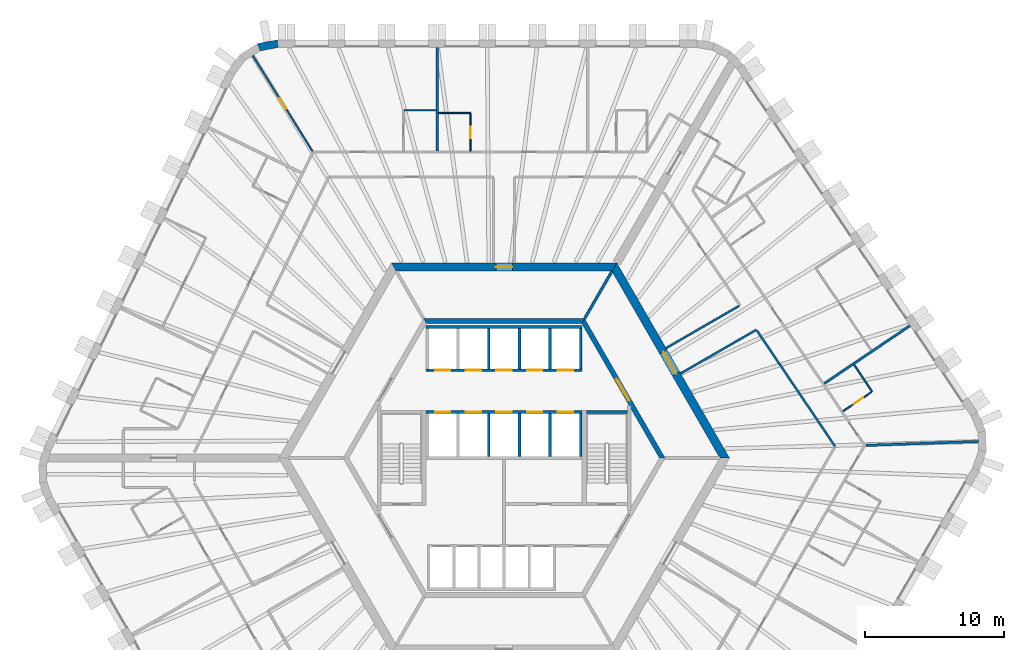
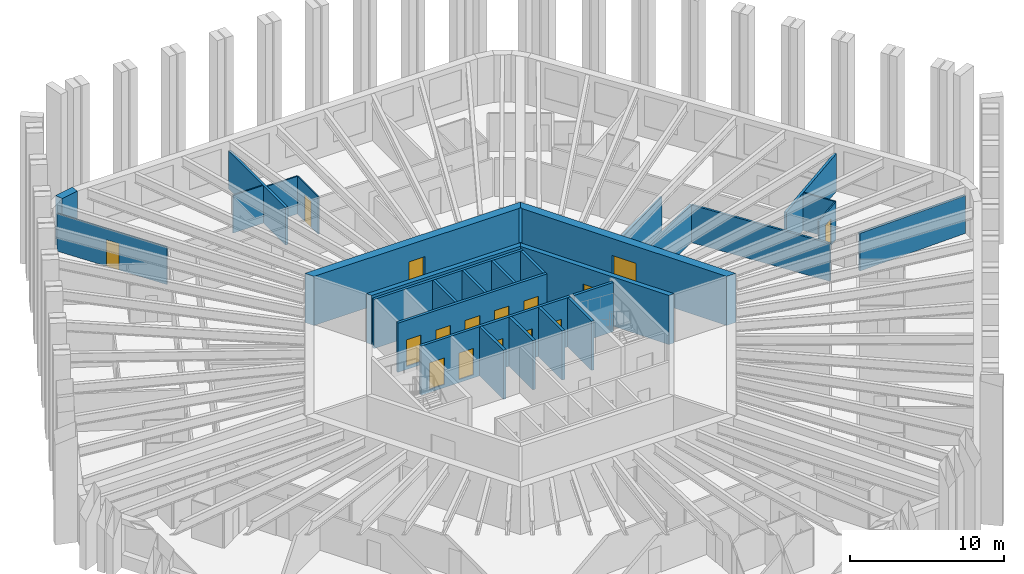
# One storey, part 8 of 12: 30 walls, 16 doors, 16 openings.
"""IFC4 building model written with IfcOpenShell, lengths in metres."""

from ifc_helpers import new_model, si_unit, direction, frame, frame_2d, origin, place, context, subcontext, project, spatial, polyline, rectangle, outline, extrude, material, layer, layer_set, type_object, element, fill, save


model = new_model("IFC4")

# Units and contexts
model_context = context("Model", 3, precision=1e-05, world=origin(), true_north=direction((0.0, 1.0)))
body_context = subcontext(model_context, "Body", "Model", "MODEL_VIEW")
ifc_project = project(units=[si_unit("LENGTHUNIT", "METRE"), si_unit("AREAUNIT", "SQUARE_METRE"), si_unit("VOLUMEUNIT", "CUBIC_METRE"), si_unit("PLANEANGLEUNIT", "RADIAN"), si_unit("MASSUNIT", "GRAM", prefix="KILO")], contexts=[model_context])

# Site, building, storey
site_placement = place(None, origin())
site = spatial("IfcSite", under=ifc_project, at=site_placement, CompositionType="ELEMENT")
building_placement = place(site_placement, origin())
building = spatial("IfcBuilding", under=site, at=building_placement, Name="Tarnside Tower", CompositionType="ELEMENT")
storey_placement = place(building_placement, frame((0.0, 0.0, 37.5)))
storey = spatial("IfcBuildingStorey", under=building, at=storey_placement, Name="L06", CompositionType="ELEMENT", Elevation=37.5)

# Wall
ifc_material_1 = material(Name="Gypsum board partition on steel studs", Category="steel")
ifc_layer_1 = layer(ifc_material_1, 0.10009765625)
ifc_layer_set_1 = layer_set([ifc_layer_1], Name="Bathroom wall 100")
wall_type_1 = type_object("IfcWallType", Name="Bathroom wall 100", PredefinedType="PARTITIONING", material=ifc_layer_set_1)
wall_1_placement = place(storey_placement, frame((-4.720947265625, 24.75, 0.0), z_axis=(0.0, 0.0, 1.0), x_axis=(1.0, 0.0, 0.0)))
element("IfcWall", 1, at=wall_1_placement, inside=storey, type_object=wall_type_1, Name="Bathroom wall 01081", PredefinedType="PARTITIONING", context=body_context, shape_type="SweptSolid", body=[
    extrude(rectangle(XDim=2.309814453125, YDim=0.10009765625, at=frame_2d((1.15478515625, 0.0))), origin(), (0.0, 0.0, 1.0), 2.98779296875),
])

# Wall, opening, door
wall_2_placement = place(storey_placement, frame((-2.4111328125, 24.699951171875, 0.0), z_axis=(0.0, 0.0, 1.0), x_axis=(0.0, -1.0, 0.0)))
wall_2 = element("IfcWall", 2, at=wall_2_placement, inside=storey, type_object=wall_type_1, Name="Bathroom wall 01082", PredefinedType="PARTITIONING", context=body_context, shape_type="SweptSolid", body=[
    extrude(rectangle(XDim=2.675048828125, YDim=0.10009765625, at=frame_2d((1.33740234375, 0.0))), origin(), (0.0, 0.0, 1.0), 2.98779296875),
])
opening_1_placement = place(wall_2_placement, frame((0.949951171875, 0.0, 0.0)))
opening_1 = element("IfcOpeningElement", 3, at=opening_1_placement, cuts=wall_2, Name="Opening D-B1", PredefinedType="OPENING", context=body_context, shape_type="SweptSolid", body=[
    extrude(rectangle(XDim=0.800048828125, YDim=2.10009765625, at=frame_2d((0.39990234375, 1.050048828125))), frame((0.0, 0.06005859375, 0.0), z_axis=(0.0, -1.0, 0.0), x_axis=(1.0, 0.0, 0.0)), (0.0, 0.0, 1.0), 0.1201171875),
])
ifc_material_2 = material(Name="Timber door leaf", Category="wood")
door_type_1 = type_object("IfcDoorType", Name="Bathroom door 800", OperationType="NOTDEFINED", PredefinedType="DOOR", material=ifc_material_2)
door_1_placement = place(opening_1_placement, origin())
door_1 = element("IfcDoor", 4, at=door_1_placement, inside=storey, type_object=door_type_1, Name="Bathroom door 01004", OperationType="SINGLE_SWING_RIGHT", OverallHeight=2.10009765625, OverallWidth=0.800048828125, PredefinedType="DOOR", context=body_context, shape_type="SweptSolid", body=[
    extrude(rectangle(XDim=0.800048828125, YDim=2.10009765625, at=frame_2d((0.39990234375, 1.050048828125))), frame((0.0, 0.02490234375, 0.0), z_axis=(0.0, -1.0, 0.0), x_axis=(1.0, 0.0, 0.0)), (0.0, 0.0, 1.0), 0.050048828125),
])
fill(opening_1, door_1)

# Walls
wall_3_placement = place(storey_placement, frame((-7.1611328125, 24.949951171875, 0.0), z_axis=(0.0, 0.0, 1.0), x_axis=(1.0, 0.0, 0.0)))
element("IfcWall", 5, at=wall_3_placement, inside=storey, type_object=wall_type_1, Name="Bathroom wall 01087", PredefinedType="PARTITIONING", context=body_context, shape_type="SweptSolid", body=[
    extrude(rectangle(XDim=2.260009765625, YDim=0.10009765625, at=frame_2d((1.1298828125, 0.0))), origin(), (0.0, 0.0, 1.0), 2.98779296875),
])
wall_4_placement = place(storey_placement, frame((25.106689453125, 6.680419921875, 0.0), z_axis=(0.0, 0.0, 1.0), x_axis=(0.559204176839, -0.829029968461, 0.0)))
element("IfcWall", 6, at=wall_4_placement, inside=storey, type_object=wall_type_1, Name="Bathroom wall 01142", PredefinedType="PARTITIONING", context=body_context, shape_type="SweptSolid", body=[
    extrude(rectangle(XDim=2.31005859375, YDim=0.10009765625, at=frame_2d((1.155029296875, 0.0))), origin(), (0.0, 0.0, 1.0), 2.98779296875),
])

# Wall, opening, door
wall_5_placement = place(storey_placement, frame((26.35693359375, 4.7373046875, 0.0), z_axis=(0.0, 0.0, 1.0), x_axis=(-0.829094460354, -0.559108554585, 0.0)))
wall_5 = element("IfcWall", 7, at=wall_5_placement, inside=storey, type_object=wall_type_1, Name="Bathroom wall 01143", PredefinedType="PARTITIONING", context=body_context, shape_type="SweptSolid", body=[
    extrude(rectangle(XDim=2.47509765625, YDim=0.10009765625, at=frame_2d((1.237548828125, 0.0))), origin(), (0.0, 0.0, 1.0), 2.98779296875),
])
opening_2_placement = place(wall_5_placement, frame((0.719970703125, 0.0, 0.0)))
opening_2 = element("IfcOpeningElement", 8, at=opening_2_placement, cuts=wall_5, Name="Opening D-B1", PredefinedType="OPENING", context=body_context, shape_type="SweptSolid", body=[
    extrude(rectangle(XDim=0.800048828125, YDim=2.10009765625, at=frame_2d((0.39990234375, 1.050048828125))), frame((0.0, 0.06005859375, 0.0), z_axis=(0.0, -1.0, 0.0), x_axis=(1.0, 0.0, 0.0)), (0.0, 0.0, 1.0), 0.1201171875),
])
door_2_placement = place(opening_2_placement, origin())
door_2 = element("IfcDoor", 9, at=door_2_placement, inside=storey, type_object=door_type_1, Name="Bathroom door 01036", OperationType="SINGLE_SWING_RIGHT", OverallHeight=2.10009765625, OverallWidth=0.800048828125, PredefinedType="DOOR", context=body_context, shape_type="SweptSolid", body=[
    extrude(rectangle(XDim=0.800048828125, YDim=2.10009765625, at=frame_2d((0.39990234375, 1.050048828125))), frame((0.0, 0.02490234375, 0.0), z_axis=(0.0, -1.0, 0.0), x_axis=(1.0, 0.0, 0.0)), (0.0, 0.0, 1.0), 0.050048828125),
])
fill(opening_2, door_2)

ifc_material_3 = material(Name="Concrete C50/60", Category="concrete")
ifc_layer_2 = layer(ifc_material_3, 0.35009765625)
ifc_layer_set_2 = layer_set([ifc_layer_2], Name="Core block wall 350 C50/60")
wall_type_2 = type_object("IfcWallType", Name="Core block wall 350 C50/60", PredefinedType="SHEAR", material=ifc_layer_set_2)
wall_6_placement = place(storey_placement, frame((11.344970703125, 0.0, -0.14990234375), z_axis=(0.0, 0.0, 1.0), x_axis=(-0.499995046907, 0.866028263435, 0.0)))
wall_6 = element("IfcWall", 10, at=wall_6_placement, inside=storey, type_object=wall_type_2, Name="L06 core block wall face 6", PredefinedType="SHEAR", context=body_context, shape_type="SweptSolid", body=[
    extrude(outline(polyline([(-0.10107421875, -0.175048828125), (11.44580078125, -0.175048828125), (11.24365234375, 0.175048828125), (0.10107421875, 0.175048828125), (-0.10107421875, -0.175048828125)])), origin(), (0.0, 0.0, 1.0), 3.89990234375),
])
opening_3_placement = place(wall_6_placement, frame((4.74365234375, 0.0, 0.14990234375)))
opening_3 = element("IfcOpeningElement", 11, at=opening_3_placement, cuts=wall_6, Name="Opening CD-LOB", PredefinedType="OPENING", context=body_context, shape_type="SweptSolid", body=[
    extrude(rectangle(XDim=1.800048828125, YDim=2.39990234375, at=frame_2d((0.89990234375, 1.199951171875))), frame((0.0, 0.18505859375, 0.0), z_axis=(0.0, -1.0, 0.0), x_axis=(1.0, 0.0, 0.0)), (0.0, 0.0, 1.0), 0.3701171875),
])
ifc_material_4 = material(Name="Steel fire door", Category="steel")
door_type_2 = type_object("IfcDoorType", Name="Lobby double door FD30S 1800x2400", OperationType="NOTDEFINED", PredefinedType="DOOR", material=ifc_material_4)
door_3_placement = place(opening_3_placement, origin())
door_3 = element("IfcDoor", 12, at=door_3_placement, inside=storey, type_object=door_type_2, Name="L06 lobby block door P2", OperationType="DOUBLE_DOOR_SINGLE_SWING", OverallHeight=2.39990234375, OverallWidth=1.800048828125, PredefinedType="DOOR", context=body_context, shape_type="SweptSolid", body=[
    extrude(rectangle(XDim=1.800048828125, YDim=2.39990234375, at=frame_2d((0.89990234375, 1.199951171875))), frame((0.0, 0.02490234375, 0.0), z_axis=(0.0, -1.0, 0.0), x_axis=(1.0, 0.0, 0.0)), (0.0, 0.0, 1.0), 0.050048828125),
])
fill(opening_3, door_3)

# Wall
wall_7_placement = place(storey_placement, frame((5.672607421875, 9.824951171875, -0.14990234375), z_axis=(0.0, 0.0, 1.0), x_axis=(-1.0, 0.0, 0.0)))
element("IfcWall", 13, at=wall_7_placement, inside=storey, type_object=wall_type_2, Name="L06 core block wall face 1", PredefinedType="SHEAR", context=body_context, shape_type="SweptSolid", body=[
    extrude(outline(polyline([(-0.10107421875, -0.175048828125), (11.4462890625, -0.175048828125), (11.244140625, 0.175048828125), (0.10107421875, 0.175048828125), (-0.10107421875, -0.175048828125)])), origin(), (0.0, 0.0, 1.0), 3.89990234375),
])

# Wall, opening, door
ifc_material_5 = material(Name="Concrete C80/95", Category="concrete")
ifc_layer_3 = layer(ifc_material_5, 0.60009765625)
ifc_layer_set_3 = layer_set([ifc_layer_3], Name="Core wall Z1 600 C80/95")
wall_type_3 = type_object("IfcWallType", Name="Core wall Z1 600 C80/95", PredefinedType="SHEAR", material=ifc_layer_set_3)
wall_8_placement = place(storey_placement, frame((15.8193359375, 0.0, -0.14990234375), z_axis=(0.0, 0.0, 1.0), x_axis=(-0.499999880136, 0.866025472988, 0.0)))
wall_8 = element("IfcWall", 14, at=wall_8_placement, inside=storey, type_object=wall_type_3, Name="L06 core wall face 6", PredefinedType="SHEAR", context=body_context, shape_type="SweptSolid", body=[
    extrude(outline(polyline([(-0.17333984375, -0.300048828125), (15.99267578125, -0.300048828125), (15.64599609375, 0.300048828125), (0.17333984375, 0.300048828125), (-0.17333984375, -0.300048828125)])), origin(), (0.0, 0.0, 1.0), 3.89990234375),
])
opening_4_placement = place(wall_8_placement, frame((6.980712890625, 0.0, 0.14990234375)))
opening_4 = element("IfcOpeningElement", 15, at=opening_4_placement, cuts=wall_8, Name="Opening CD-LOB", PredefinedType="OPENING", context=body_context, shape_type="SweptSolid", body=[
    extrude(rectangle(XDim=1.800048828125, YDim=2.39990234375, at=frame_2d((0.89990234375, 1.199951171875))), frame((0.0, 0.31005859375, 0.0), z_axis=(0.0, -1.0, 0.0), x_axis=(1.0, 0.0, 0.0)), (0.0, 0.0, 1.0), 0.6201171875),
])
door_4_placement = place(opening_4_placement, origin())
door_4 = element("IfcDoor", 16, at=door_4_placement, inside=storey, type_object=door_type_2, Name="L06 core door P2", OperationType="DOUBLE_DOOR_SINGLE_SWING", OverallHeight=2.39990234375, OverallWidth=1.800048828125, PredefinedType="DOOR", context=body_context, shape_type="SweptSolid", body=[
    extrude(rectangle(XDim=1.800048828125, YDim=2.39990234375, at=frame_2d((0.89990234375, 1.199951171875))), frame((0.0, 0.02490234375, 0.0), z_axis=(0.0, -1.0, 0.0), x_axis=(1.0, 0.0, 0.0)), (0.0, 0.0, 1.0), 0.050048828125),
])
fill(opening_4, door_4)

wall_9_placement = place(storey_placement, frame((7.90966796875, 13.699951171875, -0.14990234375), z_axis=(0.0, 0.0, 1.0), x_axis=(-1.0, 0.0, 0.0)))
wall_9 = element("IfcWall", 17, at=wall_9_placement, inside=storey, type_object=wall_type_3, Name="L06 core wall face 1", PredefinedType="SHEAR", context=body_context, shape_type="SweptSolid", body=[
    extrude(outline(polyline([(-0.17333984375, -0.300048828125), (15.99267578125, -0.300048828125), (15.64599609375, 0.300048828125), (0.17333984375, 0.300048828125), (-0.17333984375, -0.300048828125)])), origin(), (0.0, 0.0, 1.0), 3.89990234375),
])
opening_5_placement = place(wall_9_placement, frame((7.309814453125, 0.0, 0.14990234375)))
opening_5 = element("IfcOpeningElement", 18, at=opening_5_placement, cuts=wall_9, Name="Opening CD-RSR", PredefinedType="OPENING", context=body_context, shape_type="SweptSolid", body=[
    extrude(rectangle(XDim=1.199951171875, YDim=2.39990234375, at=frame_2d((0.60009765625, 1.199951171875))), frame((0.0, 0.31005859375, 0.0), z_axis=(0.0, -1.0, 0.0), x_axis=(1.0, 0.0, 0.0)), (0.0, 0.0, 1.0), 0.6201171875),
])
door_type_3 = type_object("IfcDoorType", Name="Riser door FD60 1200x2400", OperationType="NOTDEFINED", PredefinedType="DOOR", material=ifc_material_4)
door_5_placement = place(opening_5_placement, origin())
door_5 = element("IfcDoor", 19, at=door_5_placement, inside=storey, type_object=door_type_3, Name="L06 core door S5", OperationType="SINGLE_SWING_LEFT", OverallHeight=2.39990234375, OverallWidth=1.199951171875, PredefinedType="DOOR", context=body_context, shape_type="SweptSolid", body=[
    extrude(rectangle(XDim=1.199951171875, YDim=2.39990234375, at=frame_2d((0.60009765625, 1.199951171875))), frame((0.0, 0.02490234375, 0.0), z_axis=(0.0, -1.0, 0.0), x_axis=(1.0, 0.0, 0.0)), (0.0, 0.0, 1.0), 0.050048828125),
])
fill(opening_5, door_5)

# Walls
ifc_layer_4 = layer(ifc_material_1, 0.14990234375)
ifc_layer_set_4 = layer_set([ifc_layer_4], Name="Corridor wall 150 EI 60")
wall_type_4 = type_object("IfcWallType", Name="Corridor wall 150 EI 60", PredefinedType="PARTITIONING", material=ifc_layer_set_4)
wall_10_placement = place(storey_placement, frame((12.663818359375, 6.065673828125, 0.0), z_axis=(0.0, 0.0, 1.0), x_axis=(0.866036561919, 0.499980673046, 0.0)))
element("IfcWall", 20, at=wall_10_placement, inside=storey, type_object=wall_type_4, Name="Corridor wall 01068", PredefinedType="PARTITIONING", context=body_context, shape_type="SweptSolid", body=[
    extrude(rectangle(XDim=6.274658203125, YDim=0.14990234375, at=frame_2d((3.13720703125, 0.0))), origin(), (0.0, 0.0, 1.0), 2.98779296875),
])
wall_11_placement = place(storey_placement, frame((18.139892578125, 9.140625, 0.0), z_axis=(0.0, 0.0, 1.0), x_axis=(0.55918799196, -0.829040885389, 0.0)))
element("IfcWall", 21, at=wall_11_placement, inside=storey, type_object=wall_type_4, Name="Corridor wall 01069", PredefinedType="PARTITIONING", context=body_context, shape_type="SweptSolid", body=[
    extrude(rectangle(XDim=10.025146484375, YDim=0.14990234375, at=frame_2d((5.0126953125, 0.0))), origin(), (0.0, 0.0, 1.0), 2.98779296875),
])
wall_12_placement = place(storey_placement, frame((16.85546875, 10.91064453125, 0.0), z_axis=(0.0, 0.0, 1.0), x_axis=(-0.866020343444, -0.500008764664, 0.0)))
element("IfcWall", 22, at=wall_12_placement, inside=storey, type_object=wall_type_4, Name="Corridor wall 01076", PredefinedType="PARTITIONING", context=body_context, shape_type="SweptSolid", body=[
    extrude(rectangle(XDim=6.052734375, YDim=0.14990234375, at=frame_2d((3.0263671875, 0.0))), origin(), (0.0, 0.0, 1.0), 2.98779296875),
])
ifc_layer_5 = layer(ifc_material_1, 0.179931640625)
ifc_layer_set_5 = layer_set([ifc_layer_5], Name="Demising wall 180 EI 60")
wall_type_5 = type_object("IfcWallType", Name="Demising wall 180 EI 60", PredefinedType="PARTITIONING", material=ifc_layer_set_5)
wall_13_placement = place(storey_placement, frame((-4.81103515625, 29.449951171875, 0.0), z_axis=(0.0, 0.0, 1.0), x_axis=(0.0, -1.0, 0.0)))
element("IfcWall", 23, at=wall_13_placement, inside=storey, type_object=wall_type_5, Name="Demising wall 01083", PredefinedType="PARTITIONING", context=body_context, shape_type="SweptSolid", body=[
    extrude(rectangle(XDim=7.425048828125, YDim=0.179931640625, at=frame_2d((3.71240234375, 0.0))), origin(), (0.0, 0.0, 1.0), 2.98779296875),
])
wall_14_placement = place(storey_placement, frame((34.0234375, 1.188232421875, 0.0), z_axis=(0.0, 0.0, 1.0), x_axis=(-0.999390818315, -0.03489974594, 0.0)))
element("IfcWall", 24, at=wall_14_placement, inside=storey, type_object=wall_type_5, Name="Demising wall 01141", PredefinedType="PARTITIONING", context=body_context, shape_type="SweptSolid", body=[
    extrude(rectangle(XDim=8.07275390625, YDim=0.179931640625, at=frame_2d((4.036376953125, 0.0))), origin(), (0.0, 0.0, 1.0), 2.98779296875),
])
wall_15_placement = place(storey_placement, frame((29.11865234375, 9.4951171875, 0.0), z_axis=(0.0, 0.0, 1.0), x_axis=(-0.829038452737, -0.559191598545, 0.0)))
element("IfcWall", 25, at=wall_15_placement, inside=storey, type_object=wall_type_5, Name="Demising wall 01144", PredefinedType="PARTITIONING", context=body_context, shape_type="SweptSolid", body=[
    extrude(rectangle(XDim=7.42529296875, YDim=0.179931640625, at=frame_2d((3.712646484375, 0.0))), origin(), (0.0, 0.0, 1.0), 2.98779296875),
])

# Wall, openings, doors
ifc_material_6 = material(Name="Concrete C40/50", Category="concrete")
ifc_layer_6 = layer(ifc_material_6, 0.199951171875)
ifc_layer_set_6 = layer_set([ifc_layer_6], Name="Lift shaft wall 200 C40/50")
wall_type_6 = type_object("IfcWallType", Name="Lift shaft wall 200 C40/50", PredefinedType="SHEAR", material=ifc_layer_set_6)
wall_16_placement = place(storey_placement, frame((-5.60009765625, 6.300048828125, -0.25), z_axis=(0.0, 0.0, 1.0), x_axis=(1.0, 0.0, 0.0)))
wall_16 = element("IfcWall", 26, at=wall_16_placement, inside=storey, type_object=wall_type_6, Name="L06 lift shaft front wall R1", PredefinedType="SHEAR", context=body_context, shape_type="SweptSolid", body=[
    extrude(rectangle(XDim=11.2001953125, YDim=0.199951171875, at=frame_2d((5.60009765625, 0.0))), origin(), (0.0, 0.0, 1.0), 3.89990234375),
])
opening_6_placement = place(wall_16_placement, frame((0.64990234375, 0.0, 0.25)))
opening_6 = element("IfcOpeningElement", 27, at=opening_6_placement, cuts=wall_16, Name="Opening LD", PredefinedType="OPENING", context=body_context, shape_type="SweptSolid", body=[
    extrude(rectangle(XDim=1.10009765625, YDim=2.10009765625, at=frame_2d((0.550048828125, 1.050048828125))), frame((0.0, 0.10986328125, 0.0), z_axis=(0.0, -1.0, 0.0), x_axis=(1.0, 0.0, 0.0)), (0.0, 0.0, 1.0), 0.219970703125),
])
opening_7_placement = place(wall_16_placement, frame((2.85009765625, 0.0, 0.25)))
opening_7 = element("IfcOpeningElement", 28, at=opening_7_placement, cuts=wall_16, Name="Opening LD", PredefinedType="OPENING", context=body_context, shape_type="SweptSolid", body=[
    extrude(rectangle(XDim=1.10009765625, YDim=2.10009765625, at=frame_2d((0.550048828125, 1.050048828125))), frame((0.0, 0.10986328125, 0.0), z_axis=(0.0, -1.0, 0.0), x_axis=(1.0, 0.0, 0.0)), (0.0, 0.0, 1.0), 0.219970703125),
])
opening_8_placement = place(wall_16_placement, frame((5.050048828125, 0.0, 0.25)))
opening_8 = element("IfcOpeningElement", 29, at=opening_8_placement, cuts=wall_16, Name="Opening LD", PredefinedType="OPENING", context=body_context, shape_type="SweptSolid", body=[
    extrude(rectangle(XDim=1.10009765625, YDim=2.10009765625, at=frame_2d((0.550048828125, 1.050048828125))), frame((0.0, 0.10986328125, 0.0), z_axis=(0.0, -1.0, 0.0), x_axis=(1.0, 0.0, 0.0)), (0.0, 0.0, 1.0), 0.219970703125),
])
opening_9_placement = place(wall_16_placement, frame((7.25, 0.0, 0.25)))
opening_9 = element("IfcOpeningElement", 30, at=opening_9_placement, cuts=wall_16, Name="Opening LD", PredefinedType="OPENING", context=body_context, shape_type="SweptSolid", body=[
    extrude(rectangle(XDim=1.10009765625, YDim=2.10009765625, at=frame_2d((0.550048828125, 1.050048828125))), frame((0.0, 0.10986328125, 0.0), z_axis=(0.0, -1.0, 0.0), x_axis=(1.0, 0.0, 0.0)), (0.0, 0.0, 1.0), 0.219970703125),
])
opening_10_placement = place(wall_16_placement, frame((9.449951171875, 0.0, 0.25)))
opening_10 = element("IfcOpeningElement", 31, at=opening_10_placement, cuts=wall_16, Name="Opening LD", PredefinedType="OPENING", context=body_context, shape_type="SweptSolid", body=[
    extrude(rectangle(XDim=1.10009765625, YDim=2.10009765625, at=frame_2d((0.550048828125, 1.050048828125))), frame((0.0, 0.10986328125, 0.0), z_axis=(0.0, -1.0, 0.0), x_axis=(1.0, 0.0, 0.0)), (0.0, 0.0, 1.0), 0.219970703125),
])
ifc_material_7 = material(Name="Stainless steel", Category="steel")
door_type_4 = type_object("IfcDoorType", Name="Lift landing door 1100x2100", OperationType="NOTDEFINED", PredefinedType="DOOR", material=ifc_material_7)
door_6_placement = place(opening_6_placement, origin())
door_6 = element("IfcDoor", 32, at=door_6_placement, inside=storey, type_object=door_type_4, Name="Low-rise lift 1 landing door L06", OperationType="SLIDING_TO_LEFT", OverallHeight=2.10009765625, OverallWidth=1.10009765625, PredefinedType="DOOR", context=body_context, shape_type="SweptSolid", body=[
    extrude(rectangle(XDim=1.10009765625, YDim=2.10009765625, at=frame_2d((0.550048828125, 1.050048828125))), frame((0.0, 0.02490234375, 0.0), z_axis=(0.0, -1.0, 0.0), x_axis=(1.0, 0.0, 0.0)), (0.0, 0.0, 1.0), 0.050048828125),
])
fill(opening_6, door_6)
door_7_placement = place(opening_7_placement, origin())
door_7 = element("IfcDoor", 33, at=door_7_placement, inside=storey, type_object=door_type_4, Name="Low-rise lift 2 landing door L06", OperationType="SLIDING_TO_LEFT", OverallHeight=2.10009765625, OverallWidth=1.10009765625, PredefinedType="DOOR", context=body_context, shape_type="SweptSolid", body=[
    extrude(rectangle(XDim=1.10009765625, YDim=2.10009765625, at=frame_2d((0.550048828125, 1.050048828125))), frame((0.0, 0.02490234375, 0.0), z_axis=(0.0, -1.0, 0.0), x_axis=(1.0, 0.0, 0.0)), (0.0, 0.0, 1.0), 0.050048828125),
])
fill(opening_7, door_7)
door_8_placement = place(opening_8_placement, origin())
door_8 = element("IfcDoor", 34, at=door_8_placement, inside=storey, type_object=door_type_4, Name="Low-rise lift 3 landing door L06", OperationType="SLIDING_TO_LEFT", OverallHeight=2.10009765625, OverallWidth=1.10009765625, PredefinedType="DOOR", context=body_context, shape_type="SweptSolid", body=[
    extrude(rectangle(XDim=1.10009765625, YDim=2.10009765625, at=frame_2d((0.550048828125, 1.050048828125))), frame((0.0, 0.02490234375, 0.0), z_axis=(0.0, -1.0, 0.0), x_axis=(1.0, 0.0, 0.0)), (0.0, 0.0, 1.0), 0.050048828125),
])
fill(opening_8, door_8)
door_9_placement = place(opening_9_placement, origin())
door_9 = element("IfcDoor", 35, at=door_9_placement, inside=storey, type_object=door_type_4, Name="Low sky-lobby shuttle 1 landing door L06", OperationType="SLIDING_TO_LEFT", OverallHeight=2.10009765625, OverallWidth=1.10009765625, PredefinedType="DOOR", context=body_context, shape_type="SweptSolid", body=[
    extrude(rectangle(XDim=1.10009765625, YDim=2.10009765625, at=frame_2d((0.550048828125, 1.050048828125))), frame((0.0, 0.02490234375, 0.0), z_axis=(0.0, -1.0, 0.0), x_axis=(1.0, 0.0, 0.0)), (0.0, 0.0, 1.0), 0.050048828125),
])
fill(opening_9, door_9)
door_10_placement = place(opening_10_placement, origin())
door_10 = element("IfcDoor", 36, at=door_10_placement, inside=storey, type_object=door_type_4, Name="Low sky-lobby shuttle 2 landing door L06", OperationType="SLIDING_TO_LEFT", OverallHeight=2.10009765625, OverallWidth=1.10009765625, PredefinedType="DOOR", context=body_context, shape_type="SweptSolid", body=[
    extrude(rectangle(XDim=1.10009765625, YDim=2.10009765625, at=frame_2d((0.550048828125, 1.050048828125))), frame((0.0, 0.02490234375, 0.0), z_axis=(0.0, -1.0, 0.0), x_axis=(1.0, 0.0, 0.0)), (0.0, 0.0, 1.0), 0.050048828125),
])
fill(opening_10, door_10)

# Walls
wall_17_placement = place(storey_placement, frame((-5.60009765625, 9.39990234375, -0.25), z_axis=(0.0, 0.0, 1.0), x_axis=(1.0, 0.0, 0.0)))
element("IfcWall", 37, at=wall_17_placement, inside=storey, type_object=wall_type_6, Name="L06 lift shaft back wall R1", PredefinedType="SHEAR", context=body_context, shape_type="SweptSolid", body=[
    extrude(rectangle(XDim=11.2001953125, YDim=0.199951171875, at=frame_2d((5.60009765625, 0.0))), origin(), (0.0, 0.0, 1.0), 3.89990234375),
])
for number, where, z_axis, x_axis, name in (
    (38, (-1.10009765625, 6.39990234375, -0.25), (0.0, 0.0, 1.0), (0.0, 1.0, 0.0), "L06 lift shaft partition R13"),
    (39, (1.10009765625, 6.39990234375, -0.25), (0.0, 0.0, 1.0), (0.0, 1.0, 0.0), "L06 lift shaft partition R14"),
    (40, (3.300048828125, 6.39990234375, -0.25), (0.0, 0.0, 1.0), (0.0, 1.0, 0.0), "L06 lift shaft partition R15"),
    (41, (5.5, 6.39990234375, -0.25), (0.0, 0.0, 1.0), (0.0, 1.0, 0.0), "L06 lift shaft partition R16"),
):
    element("IfcWall", number, at=place(storey_placement, frame(where, z_axis=z_axis, x_axis=x_axis)), inside=storey, type_object=wall_type_6, Name=name, PredefinedType="SHEAR", context=body_context, shape_type="SweptSolid", body=[
        extrude(rectangle(XDim=2.900146484375, YDim=0.199951171875, at=frame_2d((1.4501953125, 0.0))), origin(), (0.0, 0.0, 1.0), 3.89990234375),
    ])

# Wall, openings, doors
wall_18_placement = place(storey_placement, frame((-5.60009765625, 3.300048828125, -0.25), z_axis=(0.0, 0.0, 1.0), x_axis=(1.0, 0.0, 0.0)))
wall_18 = element("IfcWall", 42, at=wall_18_placement, inside=storey, type_object=wall_type_6, Name="L06 lift shaft front wall R2", PredefinedType="SHEAR", context=body_context, shape_type="SweptSolid", body=[
    extrude(rectangle(XDim=11.2001953125, YDim=0.199951171875, at=frame_2d((5.60009765625, 0.0))), origin(), (0.0, 0.0, 1.0), 3.89990234375),
])
opening_11_placement = place(wall_18_placement, frame((0.64990234375, 0.0, 0.25)))
opening_11 = element("IfcOpeningElement", 43, at=opening_11_placement, cuts=wall_18, Name="Opening LD", PredefinedType="OPENING", context=body_context, shape_type="SweptSolid", body=[
    extrude(rectangle(XDim=1.10009765625, YDim=2.10009765625, at=frame_2d((0.550048828125, 1.050048828125))), frame((0.0, 0.10986328125, 0.0), z_axis=(0.0, -1.0, 0.0), x_axis=(1.0, 0.0, 0.0)), (0.0, 0.0, 1.0), 0.219970703125),
])
opening_12_placement = place(wall_18_placement, frame((2.85009765625, 0.0, 0.25)))
opening_12 = element("IfcOpeningElement", 44, at=opening_12_placement, cuts=wall_18, Name="Opening LD", PredefinedType="OPENING", context=body_context, shape_type="SweptSolid", body=[
    extrude(rectangle(XDim=1.10009765625, YDim=2.10009765625, at=frame_2d((0.550048828125, 1.050048828125))), frame((0.0, 0.10986328125, 0.0), z_axis=(0.0, -1.0, 0.0), x_axis=(1.0, 0.0, 0.0)), (0.0, 0.0, 1.0), 0.219970703125),
])
opening_13_placement = place(wall_18_placement, frame((5.050048828125, 0.0, 0.25)))
opening_13 = element("IfcOpeningElement", 45, at=opening_13_placement, cuts=wall_18, Name="Opening LD", PredefinedType="OPENING", context=body_context, shape_type="SweptSolid", body=[
    extrude(rectangle(XDim=1.10009765625, YDim=2.10009765625, at=frame_2d((0.550048828125, 1.050048828125))), frame((0.0, 0.10986328125, 0.0), z_axis=(0.0, -1.0, 0.0), x_axis=(1.0, 0.0, 0.0)), (0.0, 0.0, 1.0), 0.219970703125),
])
opening_14_placement = place(wall_18_placement, frame((7.25, 0.0, 0.25)))
opening_14 = element("IfcOpeningElement", 46, at=opening_14_placement, cuts=wall_18, Name="Opening LD", PredefinedType="OPENING", context=body_context, shape_type="SweptSolid", body=[
    extrude(rectangle(XDim=1.10009765625, YDim=2.10009765625, at=frame_2d((0.550048828125, 1.050048828125))), frame((0.0, 0.10986328125, 0.0), z_axis=(0.0, -1.0, 0.0), x_axis=(1.0, 0.0, 0.0)), (0.0, 0.0, 1.0), 0.219970703125),
])
opening_15_placement = place(wall_18_placement, frame((9.449951171875, 0.0, 0.25)))
opening_15 = element("IfcOpeningElement", 47, at=opening_15_placement, cuts=wall_18, Name="Opening LD", PredefinedType="OPENING", context=body_context, shape_type="SweptSolid", body=[
    extrude(rectangle(XDim=1.10009765625, YDim=2.10009765625, at=frame_2d((0.550048828125, 1.050048828125))), frame((0.0, 0.10986328125, 0.0), z_axis=(0.0, -1.0, 0.0), x_axis=(1.0, 0.0, 0.0)), (0.0, 0.0, 1.0), 0.219970703125),
])
door_11_placement = place(opening_11_placement, origin())
door_11 = element("IfcDoor", 48, at=door_11_placement, inside=storey, type_object=door_type_4, Name="Low-rise lift 4 landing door L06", OperationType="SLIDING_TO_LEFT", OverallHeight=2.10009765625, OverallWidth=1.10009765625, PredefinedType="DOOR", context=body_context, shape_type="SweptSolid", body=[
    extrude(rectangle(XDim=1.10009765625, YDim=2.10009765625, at=frame_2d((0.550048828125, 1.050048828125))), frame((0.0, 0.02490234375, 0.0), z_axis=(0.0, -1.0, 0.0), x_axis=(1.0, 0.0, 0.0)), (0.0, 0.0, 1.0), 0.050048828125),
])
fill(opening_11, door_11)
door_12_placement = place(opening_12_placement, origin())
door_12 = element("IfcDoor", 49, at=door_12_placement, inside=storey, type_object=door_type_4, Name="Low-rise lift 5 landing door L06", OperationType="SLIDING_TO_LEFT", OverallHeight=2.10009765625, OverallWidth=1.10009765625, PredefinedType="DOOR", context=body_context, shape_type="SweptSolid", body=[
    extrude(rectangle(XDim=1.10009765625, YDim=2.10009765625, at=frame_2d((0.550048828125, 1.050048828125))), frame((0.0, 0.02490234375, 0.0), z_axis=(0.0, -1.0, 0.0), x_axis=(1.0, 0.0, 0.0)), (0.0, 0.0, 1.0), 0.050048828125),
])
fill(opening_12, door_12)
door_13_placement = place(opening_13_placement, origin())
door_13 = element("IfcDoor", 50, at=door_13_placement, inside=storey, type_object=door_type_4, Name="Low-rise lift 6 landing door L06", OperationType="SLIDING_TO_LEFT", OverallHeight=2.10009765625, OverallWidth=1.10009765625, PredefinedType="DOOR", context=body_context, shape_type="SweptSolid", body=[
    extrude(rectangle(XDim=1.10009765625, YDim=2.10009765625, at=frame_2d((0.550048828125, 1.050048828125))), frame((0.0, 0.02490234375, 0.0), z_axis=(0.0, -1.0, 0.0), x_axis=(1.0, 0.0, 0.0)), (0.0, 0.0, 1.0), 0.050048828125),
])
fill(opening_13, door_13)
door_14_placement = place(opening_14_placement, origin())
door_14 = element("IfcDoor", 51, at=door_14_placement, inside=storey, type_object=door_type_4, Name="High sky-lobby shuttle 1 landing door L06", OperationType="SLIDING_TO_LEFT", OverallHeight=2.10009765625, OverallWidth=1.10009765625, PredefinedType="DOOR", context=body_context, shape_type="SweptSolid", body=[
    extrude(rectangle(XDim=1.10009765625, YDim=2.10009765625, at=frame_2d((0.550048828125, 1.050048828125))), frame((0.0, 0.02490234375, 0.0), z_axis=(0.0, -1.0, 0.0), x_axis=(1.0, 0.0, 0.0)), (0.0, 0.0, 1.0), 0.050048828125),
])
fill(opening_14, door_14)
door_15_placement = place(opening_15_placement, origin())
door_15 = element("IfcDoor", 52, at=door_15_placement, inside=storey, type_object=door_type_4, Name="Express sky-lobby shuttle 2 landing door L06", OperationType="SLIDING_TO_LEFT", OverallHeight=2.10009765625, OverallWidth=1.10009765625, PredefinedType="DOOR", context=body_context, shape_type="SweptSolid", body=[
    extrude(rectangle(XDim=1.10009765625, YDim=2.10009765625, at=frame_2d((0.550048828125, 1.050048828125))), frame((0.0, 0.02490234375, 0.0), z_axis=(0.0, -1.0, 0.0), x_axis=(1.0, 0.0, 0.0)), (0.0, 0.0, 1.0), 0.050048828125),
])
fill(opening_15, door_15)

# Walls
for number, where, z_axis, x_axis, name in (
    (53, (-1.10009765625, 0.10009765625, -0.25), (0.0, 0.0, 1.0), (0.0, 1.0, 0.0), "L06 lift shaft partition R23"),
    (54, (1.10009765625, 0.10009765625, -0.25), (0.0, 0.0, 1.0), (0.0, 1.0, 0.0), "L06 lift shaft partition R24"),
    (55, (3.300048828125, 0.10009765625, -0.25), (0.0, 0.0, 1.0), (0.0, 1.0, 0.0), "L06 lift shaft partition R25"),
    (56, (5.5, 0.10009765625, -0.25), (0.0, 0.0, 1.0), (0.0, 1.0, 0.0), "L06 lift shaft partition R26"),
):
    element("IfcWall", number, at=place(storey_placement, frame(where, z_axis=z_axis, x_axis=x_axis)), inside=storey, type_object=wall_type_6, Name=name, PredefinedType="SHEAR", context=body_context, shape_type="SweptSolid", body=[
        extrude(rectangle(XDim=3.099853515625, YDim=0.199951171875, at=frame_2d((1.5498046875, 0.0))), origin(), (0.0, 0.0, 1.0), 3.89990234375),
    ])
wall_19_placement = place(storey_placement, frame((5.7734375, 10.0, -0.14990234375), z_axis=(0.0, 0.0, 1.0), x_axis=(0.500038251005, 0.86600331843, 0.0)))
element("IfcWall", 57, at=wall_19_placement, inside=storey, type_object=wall_type_6, Name="L06 core partition AR60", PredefinedType="SHEAR", context=body_context, shape_type="SweptSolid", body=[
    extrude(rectangle(XDim=3.926025390625, YDim=0.199951171875, at=frame_2d((1.962890625, 0.0))), origin(), (0.0, 0.0, 1.0), 3.89990234375),
])
wall_20_placement = place(storey_placement, frame((5.89990234375, 3.300048828125, -0.25), z_axis=(0.0, 0.0, 1.0), x_axis=(1.0, 0.0, 0.0)))
element("IfcWall", 58, at=wall_20_placement, inside=storey, type_object=wall_type_6, Name="L06 stair 1 enclosure cap wall n", PredefinedType="SHEAR", context=body_context, shape_type="SweptSolid", body=[
    extrude(rectangle(XDim=2.9501953125, YDim=0.199951171875, at=frame_2d((1.47509765625, 0.0))), origin(), (0.0, 0.0, 1.0), 3.89990234375),
])

# Wall, opening, door
ifc_layer_7 = layer(ifc_material_1, 0.10009765625)
ifc_layer_set_7 = layer_set([ifc_layer_7], Name="Partition 100")
wall_type_7 = type_object("IfcWallType", Name="Partition 100", PredefinedType="PARTITIONING", material=ifc_layer_set_7)
wall_21_placement = place(storey_placement, frame((-18.040771484375, 28.87109375, 0.0), z_axis=(0.0, 0.0, 1.0), x_axis=(0.529928260537, -0.848042474575, 0.0)))
wall_21 = element("IfcWall", 59, at=wall_21_placement, inside=storey, type_object=wall_type_7, Name="Partition wall 01088", PredefinedType="PARTITIONING", context=body_context, shape_type="SweptSolid", body=[
    extrude(rectangle(XDim=8.072998046875, YDim=0.10009765625, at=frame_2d((4.03662109375, 0.0))), origin(), (0.0, 0.0, 1.0), 2.98779296875),
])
opening_16_placement = place(wall_21_placement, frame((3.630615234375, 0.0, 0.0)))
opening_16 = element("IfcOpeningElement", 60, at=opening_16_placement, cuts=wall_21, Name="Opening D-I1", PredefinedType="OPENING", context=body_context, shape_type="SweptSolid", body=[
    extrude(rectangle(XDim=0.89990234375, YDim=2.10009765625, at=frame_2d((0.449951171875, 1.050048828125))), frame((0.0, 0.06005859375, 0.0), z_axis=(0.0, -1.0, 0.0), x_axis=(1.0, 0.0, 0.0)), (0.0, 0.0, 1.0), 0.1201171875),
])
door_type_5 = type_object("IfcDoorType", Name="Internal door 900", OperationType="NOTDEFINED", PredefinedType="DOOR", material=ifc_material_2)
door_16_placement = place(opening_16_placement, origin())
door_16 = element("IfcDoor", 61, at=door_16_placement, inside=storey, type_object=door_type_5, Name="Internal door 01007", OperationType="SINGLE_SWING_LEFT", OverallHeight=2.10009765625, OverallWidth=0.89990234375, PredefinedType="DOOR", context=body_context, shape_type="SweptSolid", body=[
    extrude(rectangle(XDim=0.89990234375, YDim=2.10009765625, at=frame_2d((0.449951171875, 1.050048828125))), frame((0.0, 0.02490234375, 0.0), z_axis=(0.0, -1.0, 0.0), x_axis=(1.0, 0.0, 0.0)), (0.0, 0.0, 1.0), 0.050048828125),
])
fill(opening_16, door_16)

# Wall
ifc_material_8 = material(Name="Facing brick", Category="masonry")
ifc_layer_8 = layer(ifc_material_8, 0.10205078125)
ifc_material_9 = material(Name="Concrete C60/75 precast", Category="concrete")
ifc_layer_9 = layer(ifc_material_9, 0.347900390625)
ifc_material_10 = material(Name="Mineral wool insulation")
ifc_layer_10 = layer(ifc_material_10, 0.10009765625)
ifc_layer_set_8 = layer_set([ifc_layer_8, ifc_layer_9, ifc_layer_10], Name="Tube wall 550 brick faced")
wall_type_8 = type_object("IfcWallType", Name="Tube wall 550 brick faced", PredefinedType="SOLIDWALL", material=ifc_layer_set_8)
wall_22_placement = place(storey_placement, frame((-16.24658203125, 29.72509765625, -0.14990234375), z_axis=(0.0, 0.0, 1.0), x_axis=(-0.982705443133, -0.185175624845, 0.0)))
element("IfcWall", 62, at=wall_22_placement, inside=storey, type_object=wall_type_8, Name="Tube wall L06 F1 chord 01", PredefinedType="SOLIDWALL", context=body_context, shape_type="SweptSolid", body=[
    extrude(outline(polyline([(-0.025634765625, -0.27490234375), (1.430908203125, -0.27490234375), (1.327392578125, 0.27490234375), (0.025634765625, 0.27490234375), (-0.025634765625, -0.27490234375)])), origin(), (0.0, 0.0, 1.0), 3.89990234375),
])

save(model, "model.ifc")
